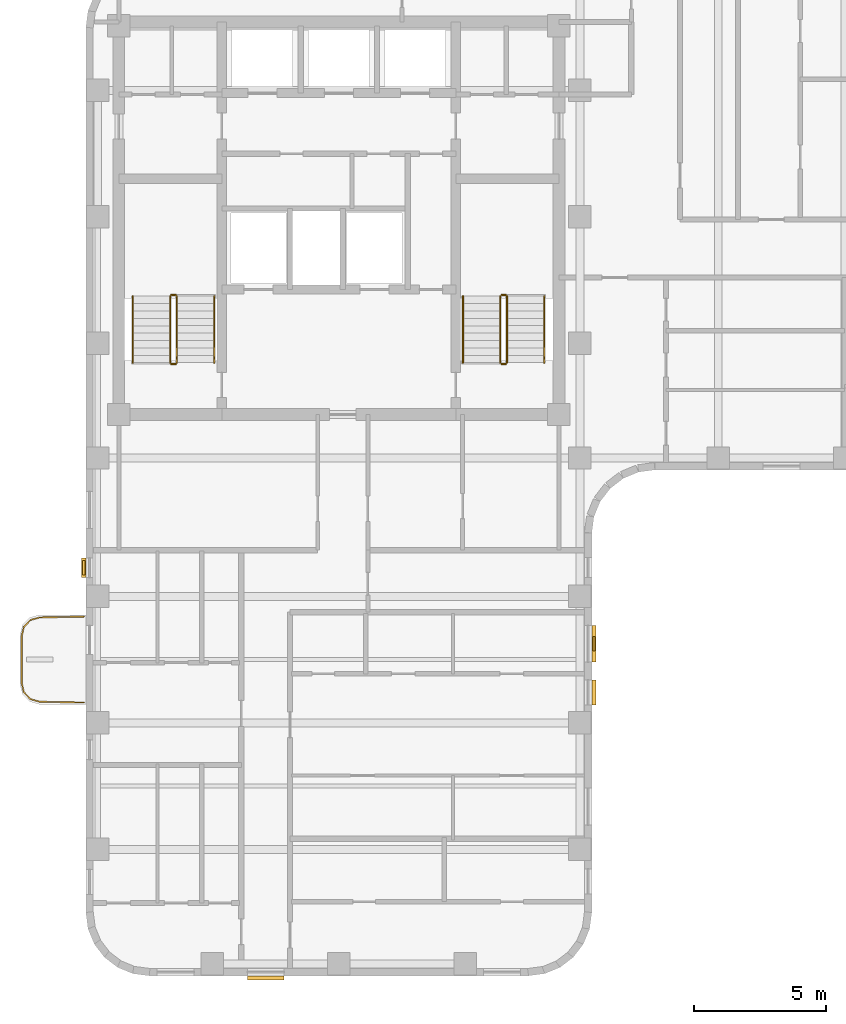
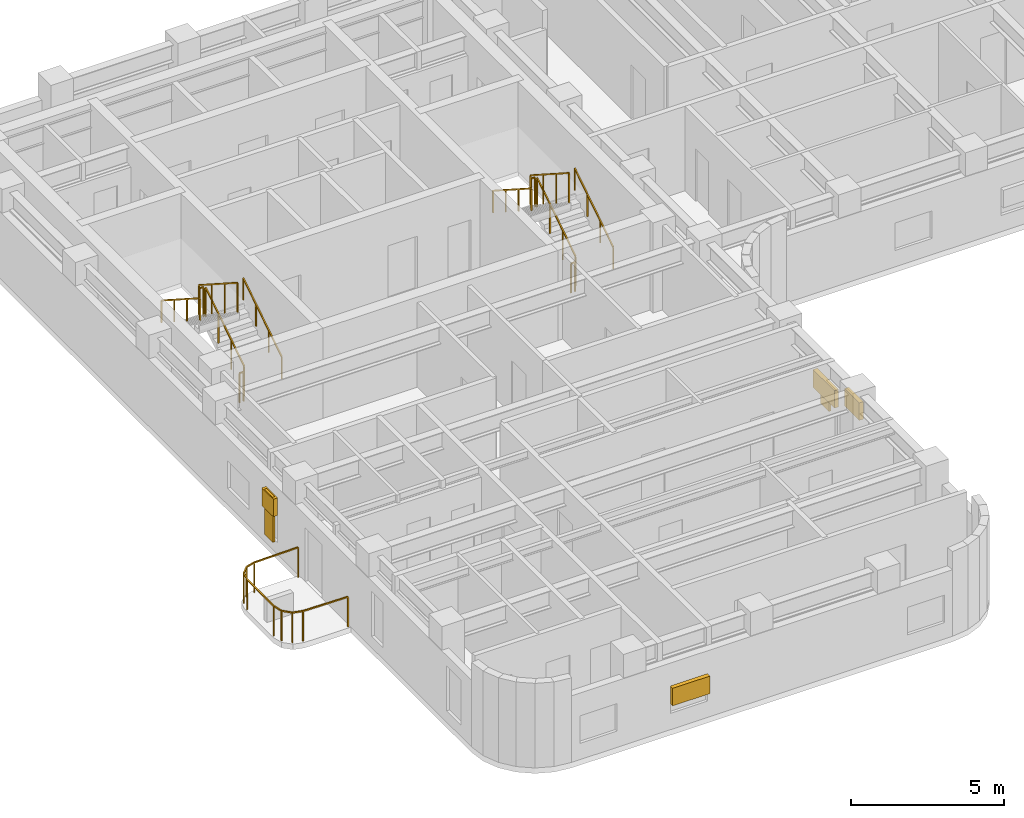
# One storey, part 8 of 10: 13 railings, 6 shading devices.
"""IFC4 building model written with IfcOpenShell, lengths in metres."""

from ifc_helpers import new_model, si_unit, direction, frame, origin, origin_2d, place, context, subcontext, project, spatial, rectangle, extrude, material, type_object, element, save


model = new_model("IFC4")

# Units and contexts
model_context = context("Model", 3, precision=1e-05, world=origin(), true_north=direction((0.0, 1.0)))
body_context = subcontext(model_context, "Body", "Model", "MODEL_VIEW")
ifc_project = project(units=[si_unit("LENGTHUNIT", "METRE"), si_unit("AREAUNIT", "SQUARE_METRE"), si_unit("VOLUMEUNIT", "CUBIC_METRE"), si_unit("PLANEANGLEUNIT", "RADIAN"), si_unit("MASSUNIT", "GRAM", prefix="KILO")], contexts=[model_context])

# Site, building, storey
site_placement = place(None, origin())
site = spatial("IfcSite", under=ifc_project, at=site_placement, CompositionType="ELEMENT")
building_placement = place(site_placement, origin())
building = spatial("IfcBuilding", under=site, at=building_placement, Name="Orvandelia Arch Residences", CompositionType="ELEMENT")
storey_placement = place(building_placement, frame((0.0, 0.0, 218.199951171875)))
storey = spatial("IfcBuildingStorey", under=building, at=storey_placement, Name="L57", CompositionType="ELEMENT", Elevation=218.199951171875)

# Railings
ifc_material_1 = material(Name="Marine-Grade Stainless Steel 316", Category="steel")
railing_type_1 = type_object("IfcRailingType", Name="GRD-BAL-1200", PredefinedType="BALUSTRADE", material=ifc_material_1)
railing_1_placement = place(storey_placement, frame((4.728271484375, 23.23046875, 0.0)))
element("IfcRailing", 1, at=railing_1_placement, inside=storey, type_object=railing_type_1, Name="Safety Balustrade Guard GRD-L57-BAL-L57-W1-1", PredefinedType="BALUSTRADE", context=body_context, shape_type="SweptSolid", body=[
    extrude(rectangle(XDim=0.048095703125, YDim=0.048095703125, at=origin_2d()), frame((0.0, 0.0, 1.19580078125), z_axis=(-0.999834751713, -0.018178813668, 0.0), x_axis=(0.018178813668, -0.999834751713, 0.0)), (0.0, 0.0, 1.0), 1.6787109375),
    extrude(rectangle(XDim=0.048095703125, YDim=0.048095703125, at=origin_2d()), frame((-1.678466796875, -0.030517578125, 1.19580078125), z_axis=(-0.96348920644, -0.267747173792, 0.0), x_axis=(0.267747173792, -0.96348920644, 0.0)), (0.0, 0.0, 1.0), 0.36572265625),
    extrude(rectangle(XDim=0.048095703125, YDim=0.048095703125, at=origin_2d()), frame((-2.03076171875, -0.12841796875, 1.19580078125), z_axis=(-0.688627404251, -0.725115368831, 0.0), x_axis=(0.725115368831, -0.688627404251, 0.0)), (0.0, 0.0, 1.0), 0.367919921875),
    extrude(rectangle(XDim=0.048095703125, YDim=0.048095703125, at=origin_2d()), frame((-2.2841796875, -0.395263671875, 1.19580078125), z_axis=(-0.220461657419, -0.975395641577, 0.0), x_axis=(0.975395641577, -0.220461657419, 0.0)), (0.0, 0.0, 1.0), 0.373291015625),
    extrude(rectangle(XDim=0.048095703125, YDim=0.048095703125, at=origin_2d()), frame((-2.366455078125, -0.75927734375, 1.19580078125), z_axis=(0.0, -1.0, 0.0), x_axis=(1.0, 0.0, 0.0)), (0.0, 0.0, 1.0), 1.742431640625),
    extrude(rectangle(XDim=0.048095703125, YDim=0.048095703125, at=origin_2d()), frame((-2.366455078125, -2.501708984375, 1.19580078125), z_axis=(0.220602419982, -0.975363815352, 0.0), x_axis=(0.975363815352, 0.220602419982, 0.0)), (0.0, 0.0, 1.0), 0.373046875),
    extrude(rectangle(XDim=0.048095703125, YDim=0.048095703125, at=origin_2d()), frame((-2.2841796875, -2.865478515625, 1.19580078125), z_axis=(0.688296224633, -0.725429739642, 0.0), x_axis=(0.725429739642, 0.688296224633, 0.0)), (0.0, 0.0, 1.0), 0.3681640625),
    extrude(rectangle(XDim=0.048095703125, YDim=0.048095703125, at=origin_2d()), frame((-2.03076171875, -3.132568359375, 1.19580078125), z_axis=(0.96348920644, -0.267747173792, 0.0), x_axis=(0.267747173792, 0.96348920644, 0.0)), (0.0, 0.0, 1.0), 0.36572265625),
    extrude(rectangle(XDim=0.048095703125, YDim=0.048095703125, at=origin_2d()), frame((-1.678466796875, -3.23046875, 1.19580078125), z_axis=(0.999834751713, -0.018178813668, 0.0), x_axis=(0.018178813668, 0.999834751713, 0.0)), (0.0, 0.0, 1.0), 1.6787109375),
    extrude(rectangle(XDim=0.0419921875, YDim=0.0419921875, at=origin_2d()), origin(), (0.0, 0.0, 1.0), 1.171875),
    extrude(rectangle(XDim=0.0419921875, YDim=0.0419921875, at=origin_2d()), frame((-1.678466796875, -0.030517578125, 0.0)), (0.0, 0.0, 1.0), 1.171875),
    extrude(rectangle(XDim=0.0419921875, YDim=0.0419921875, at=origin_2d()), frame((-2.03076171875, -0.12841796875, 0.0)), (0.0, 0.0, 1.0), 1.171875),
    extrude(rectangle(XDim=0.0419921875, YDim=0.0419921875, at=origin_2d()), frame((-2.2841796875, -0.395263671875, 0.0)), (0.0, 0.0, 1.0), 1.171875),
    extrude(rectangle(XDim=0.0419921875, YDim=0.0419921875, at=origin_2d()), frame((-2.366455078125, -0.75927734375, 0.0)), (0.0, 0.0, 1.0), 1.171875),
    extrude(rectangle(XDim=0.0419921875, YDim=0.0419921875, at=origin_2d()), frame((-2.366455078125, -2.501708984375, 0.0)), (0.0, 0.0, 1.0), 1.171875),
    extrude(rectangle(XDim=0.0419921875, YDim=0.0419921875, at=origin_2d()), frame((-2.2841796875, -2.865478515625, 0.0)), (0.0, 0.0, 1.0), 1.171875),
    extrude(rectangle(XDim=0.0419921875, YDim=0.0419921875, at=origin_2d()), frame((-2.03076171875, -3.132568359375, 0.0)), (0.0, 0.0, 1.0), 1.171875),
    extrude(rectangle(XDim=0.0419921875, YDim=0.0419921875, at=origin_2d()), frame((-1.678466796875, -3.23046875, 0.0)), (0.0, 0.0, 1.0), 1.171875),
    extrude(rectangle(XDim=0.0419921875, YDim=0.0419921875, at=origin_2d()), frame((0.0, -3.260986328125, 0.0)), (0.0, 0.0, 1.0), 1.171875),
])
ifc_material_2 = material(Name="Brushed Stainless Steel 304", Category="steel")
railing_type_2 = type_object("IfcRailingType", Name="RL-STAIR-GD1120", PredefinedType="GUARDRAIL", material=ifc_material_2)
railing_2_placement = place(storey_placement, frame((8.25, 32.8701171875, 0.179931640625)))
element("IfcRailing", 2, at=railing_2_placement, inside=storey, type_object=railing_type_2, Name="L57 ST-1 stair guard 1", PredefinedType="GUARDRAIL", context=body_context, shape_type="SweptSolid", body=[
    extrude(rectangle(XDim=0.048095703125, YDim=0.048095703125, at=origin_2d()), frame((0.0, 0.0, 1.17578125), z_axis=(0.0, 0.841138753965, 0.540819375188), x_axis=(-1.0, 0.0, 0.0)), (0.0, 0.0, 1.0), 2.99560546875),
    extrude(rectangle(XDim=0.0419921875, YDim=0.0419921875, at=origin_2d()), origin(), (0.0, 0.0, 1.0), 1.15185546875),
    extrude(rectangle(XDim=0.0419921875, YDim=0.0419921875, at=origin_2d()), frame((0.0, 0.83984375, 0.5400390625)), (0.0, 0.0, 1.0), 1.15185546875),
    extrude(rectangle(XDim=0.0419921875, YDim=0.0419921875, at=origin_2d()), frame((0.0, 1.679931640625, 1.080078125)), (0.0, 0.0, 1.0), 1.15185546875),
    extrude(rectangle(XDim=0.0419921875, YDim=0.0419921875, at=origin_2d()), frame((0.0, 2.519775390625, 1.6201171875)), (0.0, 0.0, 1.0), 1.15185546875),
])
railing_3_placement = place(storey_placement, frame((8.199951171875, 35.43994140625, 1.800048828125)))
element("IfcRailing", 3, at=railing_3_placement, inside=storey, type_object=railing_type_2, Name="L57 ST-1 stair guard 2", PredefinedType="GUARDRAIL", context=body_context, shape_type="SweptSolid", body=[
    extrude(rectangle(XDim=0.048095703125, YDim=0.048095703125, at=origin_2d()), frame((0.0, 0.0, 1.17578125), z_axis=(-1.0, 0.0, 0.0), x_axis=(0.0, -1.0, 0.0)), (0.0, 0.0, 1.0), 0.14990234375),
    extrude(rectangle(XDim=0.0419921875, YDim=0.0419921875, at=origin_2d()), origin(), (0.0, 0.0, 1.0), 1.15185546875),
    extrude(rectangle(XDim=0.0419921875, YDim=0.0419921875, at=origin_2d()), frame((-0.14990234375, 0.0, 0.0)), (0.0, 0.0, 1.0), 1.15185546875),
])
railing_4_placement = place(storey_placement, frame((8.0, 35.389892578125, 1.97998046875)))
element("IfcRailing", 4, at=railing_4_placement, inside=storey, type_object=railing_type_2, Name="L57 ST-1 stair guard 3", PredefinedType="GUARDRAIL", context=body_context, shape_type="SweptSolid", body=[
    extrude(rectangle(XDim=0.048095703125, YDim=0.048095703125, at=origin_2d()), frame((0.0, 0.0, 1.17578125), z_axis=(0.0, -0.841138753965, 0.540819375188), x_axis=(1.0, 0.0, 0.0)), (0.0, 0.0, 1.0), 2.99560546875),
    extrude(rectangle(XDim=0.0419921875, YDim=0.0419921875, at=origin_2d()), origin(), (0.0, 0.0, 1.0), 1.15185546875),
    extrude(rectangle(XDim=0.0419921875, YDim=0.0419921875, at=origin_2d()), frame((0.0, -0.83984375, 0.5400390625)), (0.0, 0.0, 1.0), 1.15185546875),
    extrude(rectangle(XDim=0.0419921875, YDim=0.0419921875, at=origin_2d()), frame((0.0, -1.679931640625, 1.080078125)), (0.0, 0.0, 1.0), 1.15185546875),
    extrude(rectangle(XDim=0.0419921875, YDim=0.0419921875, at=origin_2d()), frame((0.0, -2.519775390625, 1.6201171875)), (0.0, 0.0, 1.0), 1.15185546875),
])
railing_5_placement = place(storey_placement, frame((8.199951171875, 32.820068359375, 0.0)))
element("IfcRailing", 5, at=railing_5_placement, inside=storey, type_object=railing_type_2, Name="L57 ST-1 stair guard 4", PredefinedType="GUARDRAIL", context=body_context, shape_type="SweptSolid", body=[
    extrude(rectangle(XDim=0.048095703125, YDim=0.048095703125, at=origin_2d()), frame((0.0, 0.0, 1.17578125), z_axis=(-1.0, 0.0, 0.0), x_axis=(0.0, -1.0, 0.0)), (0.0, 0.0, 1.0), 0.14990234375),
    extrude(rectangle(XDim=0.0419921875, YDim=0.0419921875, at=origin_2d()), origin(), (0.0, 0.0, 1.0), 1.15185546875),
    extrude(rectangle(XDim=0.0419921875, YDim=0.0419921875, at=origin_2d()), frame((-0.14990234375, 0.0, 0.0)), (0.0, 0.0, 1.0), 1.15185546875),
])
railing_6_placement = place(storey_placement, frame((20.780029296875, 32.8701171875, 0.179931640625)))
element("IfcRailing", 6, at=railing_6_placement, inside=storey, type_object=railing_type_2, Name="L57 ST-2 stair guard 1", PredefinedType="GUARDRAIL", context=body_context, shape_type="SweptSolid", body=[
    extrude(rectangle(XDim=0.048095703125, YDim=0.048095703125, at=origin_2d()), frame((0.0, 0.0, 1.17578125), z_axis=(0.0, 0.841138753965, 0.540819375188), x_axis=(-1.0, 0.0, 0.0)), (0.0, 0.0, 1.0), 2.99560546875),
    extrude(rectangle(XDim=0.0419921875, YDim=0.0419921875, at=origin_2d()), origin(), (0.0, 0.0, 1.0), 1.15185546875),
    extrude(rectangle(XDim=0.0419921875, YDim=0.0419921875, at=origin_2d()), frame((0.0, 0.83984375, 0.5400390625)), (0.0, 0.0, 1.0), 1.15185546875),
    extrude(rectangle(XDim=0.0419921875, YDim=0.0419921875, at=origin_2d()), frame((0.0, 1.679931640625, 1.080078125)), (0.0, 0.0, 1.0), 1.15185546875),
    extrude(rectangle(XDim=0.0419921875, YDim=0.0419921875, at=origin_2d()), frame((0.0, 2.519775390625, 1.6201171875)), (0.0, 0.0, 1.0), 1.15185546875),
])
railing_7_placement = place(storey_placement, frame((20.72998046875, 35.43994140625, 1.800048828125)))
element("IfcRailing", 7, at=railing_7_placement, inside=storey, type_object=railing_type_2, Name="L57 ST-2 stair guard 2", PredefinedType="GUARDRAIL", context=body_context, shape_type="SweptSolid", body=[
    extrude(rectangle(XDim=0.048095703125, YDim=0.048095703125, at=origin_2d()), frame((0.0, 0.0, 1.17578125), z_axis=(-1.0, 0.0, 0.0), x_axis=(0.0, -1.0, 0.0)), (0.0, 0.0, 1.0), 0.14990234375),
    extrude(rectangle(XDim=0.0419921875, YDim=0.0419921875, at=origin_2d()), origin(), (0.0, 0.0, 1.0), 1.15185546875),
    extrude(rectangle(XDim=0.0419921875, YDim=0.0419921875, at=origin_2d()), frame((-0.14990234375, 0.0, 0.0)), (0.0, 0.0, 1.0), 1.15185546875),
])
railing_8_placement = place(storey_placement, frame((20.530029296875, 35.389892578125, 1.97998046875)))
element("IfcRailing", 8, at=railing_8_placement, inside=storey, type_object=railing_type_2, Name="L57 ST-2 stair guard 3", PredefinedType="GUARDRAIL", context=body_context, shape_type="SweptSolid", body=[
    extrude(rectangle(XDim=0.048095703125, YDim=0.048095703125, at=origin_2d()), frame((0.0, 0.0, 1.17578125), z_axis=(0.0, -0.841138753965, 0.540819375188), x_axis=(1.0, 0.0, 0.0)), (0.0, 0.0, 1.0), 2.99560546875),
    extrude(rectangle(XDim=0.0419921875, YDim=0.0419921875, at=origin_2d()), origin(), (0.0, 0.0, 1.0), 1.15185546875),
    extrude(rectangle(XDim=0.0419921875, YDim=0.0419921875, at=origin_2d()), frame((0.0, -0.83984375, 0.5400390625)), (0.0, 0.0, 1.0), 1.15185546875),
    extrude(rectangle(XDim=0.0419921875, YDim=0.0419921875, at=origin_2d()), frame((0.0, -1.679931640625, 1.080078125)), (0.0, 0.0, 1.0), 1.15185546875),
    extrude(rectangle(XDim=0.0419921875, YDim=0.0419921875, at=origin_2d()), frame((0.0, -2.519775390625, 1.6201171875)), (0.0, 0.0, 1.0), 1.15185546875),
])
railing_9_placement = place(storey_placement, frame((20.72998046875, 32.820068359375, 0.0)))
element("IfcRailing", 9, at=railing_9_placement, inside=storey, type_object=railing_type_2, Name="L57 ST-2 stair guard 4", PredefinedType="GUARDRAIL", context=body_context, shape_type="SweptSolid", body=[
    extrude(rectangle(XDim=0.048095703125, YDim=0.048095703125, at=origin_2d()), frame((0.0, 0.0, 1.17578125), z_axis=(-1.0, 0.0, 0.0), x_axis=(0.0, -1.0, 0.0)), (0.0, 0.0, 1.0), 0.14990234375),
    extrude(rectangle(XDim=0.0419921875, YDim=0.0419921875, at=origin_2d()), origin(), (0.0, 0.0, 1.0), 1.15185546875),
    extrude(rectangle(XDim=0.0419921875, YDim=0.0419921875, at=origin_2d()), frame((-0.14990234375, 0.0, 0.0)), (0.0, 0.0, 1.0), 1.15185546875),
])
railing_type_3 = type_object("IfcRailingType", Name="RL-STAIR-HR920", PredefinedType="HANDRAIL", material=ifc_material_2)
railing_10_placement = place(storey_placement, frame((9.669921875, 32.8701171875, 0.360107421875)))
element("IfcRailing", 10, at=railing_10_placement, inside=storey, type_object=railing_type_3, Name="L57 ST-1 stair handrail 1", PredefinedType="HANDRAIL", context=body_context, shape_type="SweptSolid", body=[
    extrude(rectangle(XDim=0.048095703125, YDim=0.048095703125, at=origin_2d()), frame((0.0, 0.0, 0.8759765625), z_axis=(0.0, 0.841175827307, 0.540761710511), x_axis=(-1.0, 0.0, 0.0)), (0.0, 0.0, 1.0), 2.99560546875),
    extrude(rectangle(XDim=0.0419921875, YDim=0.0419921875, at=origin_2d()), origin(), (0.0, 0.0, 1.0), 0.851806640625),
    extrude(rectangle(XDim=0.0419921875, YDim=0.0419921875, at=origin_2d()), frame((0.0, 0.83984375, 0.5400390625)), (0.0, 0.0, 1.0), 0.851806640625),
    extrude(rectangle(XDim=0.0419921875, YDim=0.0419921875, at=origin_2d()), frame((0.0, 1.679931640625, 1.079833984375)), (0.0, 0.0, 1.0), 0.851806640625),
    extrude(rectangle(XDim=0.0419921875, YDim=0.0419921875, at=origin_2d()), frame((0.0, 2.519775390625, 1.619873046875)), (0.0, 0.0, 1.0), 0.851806640625),
])
railing_11_placement = place(storey_placement, frame((6.580078125, 35.389892578125, 2.16015625)))
element("IfcRailing", 11, at=railing_11_placement, inside=storey, type_object=railing_type_3, Name="L57 ST-1 stair handrail 2", PredefinedType="HANDRAIL", context=body_context, shape_type="SweptSolid", body=[
    extrude(rectangle(XDim=0.048095703125, YDim=0.048095703125, at=origin_2d()), frame((0.0, 0.0, 0.8759765625), z_axis=(0.0, -0.841175827307, 0.540761710511), x_axis=(1.0, 0.0, 0.0)), (0.0, 0.0, 1.0), 2.99560546875),
    extrude(rectangle(XDim=0.0419921875, YDim=0.0419921875, at=origin_2d()), origin(), (0.0, 0.0, 1.0), 0.851806640625),
    extrude(rectangle(XDim=0.0419921875, YDim=0.0419921875, at=origin_2d()), frame((0.0, -0.83984375, 0.5400390625)), (0.0, 0.0, 1.0), 0.851806640625),
    extrude(rectangle(XDim=0.0419921875, YDim=0.0419921875, at=origin_2d()), frame((0.0, -1.679931640625, 1.079833984375)), (0.0, 0.0, 1.0), 0.851806640625),
    extrude(rectangle(XDim=0.0419921875, YDim=0.0419921875, at=origin_2d()), frame((0.0, -2.519775390625, 1.619873046875)), (0.0, 0.0, 1.0), 0.851806640625),
])
railing_12_placement = place(storey_placement, frame((22.199951171875, 32.8701171875, 0.360107421875)))
element("IfcRailing", 12, at=railing_12_placement, inside=storey, type_object=railing_type_3, Name="L57 ST-2 stair handrail 1", PredefinedType="HANDRAIL", context=body_context, shape_type="SweptSolid", body=[
    extrude(rectangle(XDim=0.048095703125, YDim=0.048095703125, at=origin_2d()), frame((0.0, 0.0, 0.8759765625), z_axis=(0.0, 0.841175827307, 0.540761710511), x_axis=(-1.0, 0.0, 0.0)), (0.0, 0.0, 1.0), 2.99560546875),
    extrude(rectangle(XDim=0.0419921875, YDim=0.0419921875, at=origin_2d()), origin(), (0.0, 0.0, 1.0), 0.851806640625),
    extrude(rectangle(XDim=0.0419921875, YDim=0.0419921875, at=origin_2d()), frame((0.0, 0.83984375, 0.5400390625)), (0.0, 0.0, 1.0), 0.851806640625),
    extrude(rectangle(XDim=0.0419921875, YDim=0.0419921875, at=origin_2d()), frame((0.0, 1.679931640625, 1.079833984375)), (0.0, 0.0, 1.0), 0.851806640625),
    extrude(rectangle(XDim=0.0419921875, YDim=0.0419921875, at=origin_2d()), frame((0.0, 2.519775390625, 1.619873046875)), (0.0, 0.0, 1.0), 0.851806640625),
])
railing_13_placement = place(storey_placement, frame((19.110107421875, 35.389892578125, 2.16015625)))
element("IfcRailing", 13, at=railing_13_placement, inside=storey, type_object=railing_type_3, Name="L57 ST-2 stair handrail 2", PredefinedType="HANDRAIL", context=body_context, shape_type="SweptSolid", body=[
    extrude(rectangle(XDim=0.048095703125, YDim=0.048095703125, at=origin_2d()), frame((0.0, 0.0, 0.8759765625), z_axis=(0.0, -0.841175827307, 0.540761710511), x_axis=(1.0, 0.0, 0.0)), (0.0, 0.0, 1.0), 2.99560546875),
    extrude(rectangle(XDim=0.0419921875, YDim=0.0419921875, at=origin_2d()), origin(), (0.0, 0.0, 1.0), 0.851806640625),
    extrude(rectangle(XDim=0.0419921875, YDim=0.0419921875, at=origin_2d()), frame((0.0, -0.83984375, 0.5400390625)), (0.0, 0.0, 1.0), 0.851806640625),
    extrude(rectangle(XDim=0.0419921875, YDim=0.0419921875, at=origin_2d()), frame((0.0, -1.679931640625, 1.079833984375)), (0.0, 0.0, 1.0), 0.851806640625),
    extrude(rectangle(XDim=0.0419921875, YDim=0.0419921875, at=origin_2d()), frame((0.0, -2.519775390625, 1.619873046875)), (0.0, 0.0, 1.0), 0.851806640625),
])

# Shading devices
ifc_material_3 = material(Name="Anodised Champagne-Bronze Extruded Aluminium", Category="aluminium")
shading_device_type_1 = type_object("IfcShadingDeviceType", Name="SHD-JALOUSIE-SCREEN", PredefinedType="JALOUSIE", material=ifc_material_3)
shading_device_1_placement = place(storey_placement, frame((24.080078125, 22.199951171875, 1.05029296875), z_axis=(0.0, 0.0, 1.0), x_axis=(0.0, -1.0, 0.0)))
element("IfcShadingDevice", 14, at=shading_device_1_placement, inside=storey, type_object=shading_device_type_1, Name="Bronze Jalousie Sun-Shade L57-006", PredefinedType="JALOUSIE", context=body_context, shape_type="SweptSolid", body=[
    extrude(rectangle(XDim=1.39990234375, YDim=0.159912109375, at=origin_2d()), origin(), (0.0, 0.0, 1.0), 0.699951171875),
])
shading_device_2_placement = place(storey_placement, frame((24.080078125, 20.3525390625, 1.55029296875), z_axis=(0.0, 0.0, 1.0), x_axis=(0.0, -1.0, 0.0)))
element("IfcShadingDevice", 15, at=shading_device_2_placement, inside=storey, type_object=shading_device_type_1, Name="Bronze Jalousie Sun-Shade L57-007", PredefinedType="JALOUSIE", context=body_context, shape_type="SweptSolid", body=[
    extrude(rectangle(XDim=0.949951171875, YDim=0.159912109375, at=origin_2d()), origin(), (0.0, 0.0, 1.0), 0.699951171875),
])
shading_device_3_placement = place(storey_placement, frame((11.625, 9.52001953125, 1.05029296875), z_axis=(0.0, 0.0, 1.0), x_axis=(-1.0, 0.0, 0.0)))
element("IfcShadingDevice", 16, at=shading_device_3_placement, inside=storey, type_object=shading_device_type_1, Name="Bronze Jalousie Sun-Shade L57-008", PredefinedType="JALOUSIE", context=body_context, shape_type="SweptSolid", body=[
    extrude(rectangle(XDim=1.39990234375, YDim=0.159912109375, at=origin_2d()), origin(), (0.0, 0.0, 1.0), 0.699951171875),
])
shading_device_4_placement = place(storey_placement, frame((4.719970703125, 25.08251953125, 1.55029296875), z_axis=(0.0, 0.0, 1.0), x_axis=(0.0, 1.0, 0.0)))
element("IfcShadingDevice", 17, at=shading_device_4_placement, inside=storey, type_object=shading_device_type_1, Name="Bronze Jalousie Sun-Shade L57-009", PredefinedType="JALOUSIE", context=body_context, shape_type="SweptSolid", body=[
    extrude(rectangle(XDim=0.75, YDim=0.159912109375, at=origin_2d()), origin(), (0.0, 0.0, 1.0), 0.699951171875),
])
ifc_material_4 = material(Name="Marine-Grade Perforated Aluminium Storm Shutter", Category="aluminium")
shading_device_type_2 = type_object("IfcShadingDeviceType", Name="SHD-STORM-SHUTTER", PredefinedType="SHUTTER", material=ifc_material_4)
shading_device_5_placement = place(storey_placement, frame((24.080078125, 22.199951171875, 0.64990234375), z_axis=(0.0, 0.0, 1.0), x_axis=(0.0, -1.0, 0.0)))
element("IfcShadingDevice", 18, at=shading_device_5_placement, inside=storey, type_object=shading_device_type_2, Name="Operable Typhoon Storm Shutter L57-006", PredefinedType="SHUTTER", context=body_context, shape_type="SweptSolid", body=[
    extrude(rectangle(XDim=0.550048828125, YDim=0.080078125, at=origin_2d()), origin(), (0.0, 0.0, 1.0), 1.10009765625),
])
shading_device_6_placement = place(storey_placement, frame((4.719970703125, 25.08251953125, 0.4501953125), z_axis=(0.0, 0.0, 1.0), x_axis=(0.0, 1.0, 0.0)))
element("IfcShadingDevice", 19, at=shading_device_6_placement, inside=storey, type_object=shading_device_type_2, Name="Operable Typhoon Storm Shutter L57-009", PredefinedType="SHUTTER", context=body_context, shape_type="SweptSolid", body=[
    extrude(rectangle(XDim=0.550048828125, YDim=0.080078125, at=origin_2d()), origin(), (0.0, 0.0, 1.0), 1.800048828125),
])

save(model, "model.ifc")
